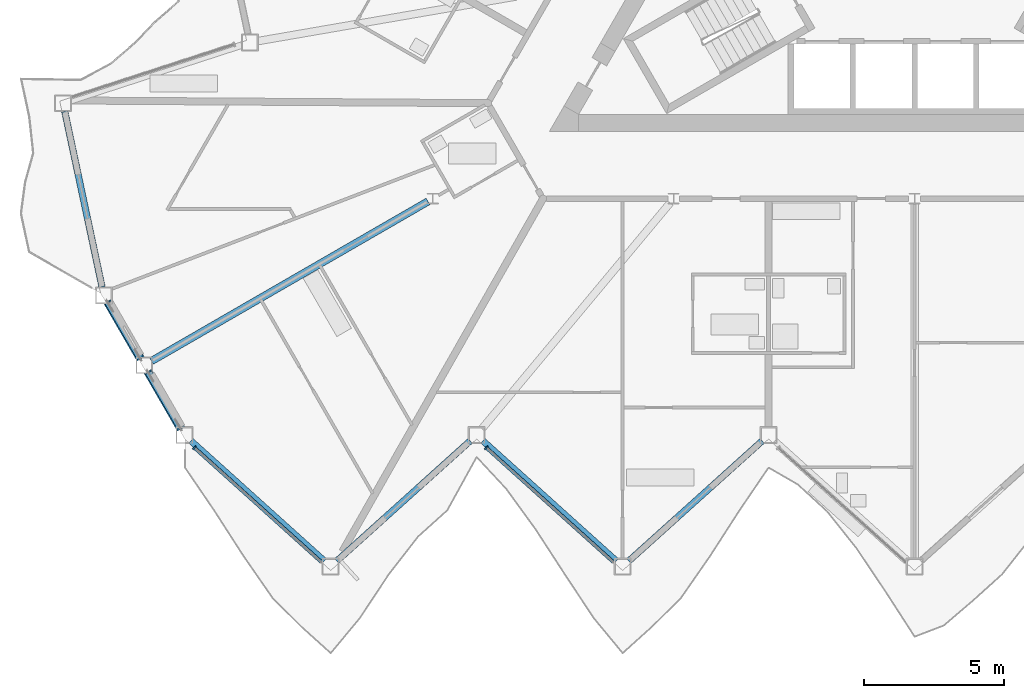
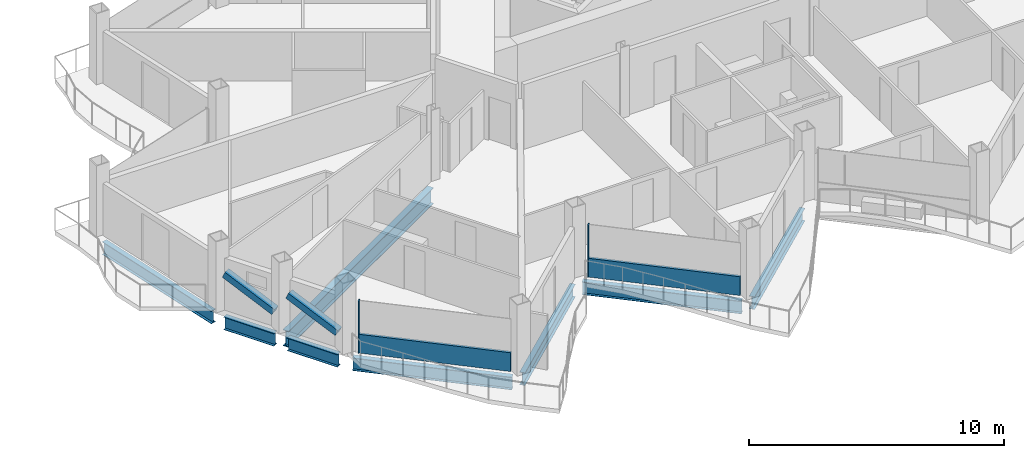
# One storey, part 4 of 26: 8 beams, 6 members, 2 elements without a shape of their own.
"""IFC4 building model written with IfcOpenShell, lengths in metres."""

from ifc_helpers import new_model, si_unit, direction, frame, origin, origin_2d, place, context, subcontext, project, spatial, rectangle, hollow_rectangle, i_section, extrude, material, layer, layer_set, material_profile, profile_set, type_object, element, aggregate, save


model = new_model("IFC4")

# Units and contexts
model_context = context("Model", 3, precision=1e-05, world=origin(), true_north=direction((0.0, 1.0)))
body_context = subcontext(model_context, "Body", "Model", "MODEL_VIEW")
ifc_project = project(units=[si_unit("LENGTHUNIT", "METRE"), si_unit("AREAUNIT", "SQUARE_METRE"), si_unit("VOLUMEUNIT", "CUBIC_METRE"), si_unit("PLANEANGLEUNIT", "RADIAN"), si_unit("MASSUNIT", "GRAM", prefix="KILO")], contexts=[model_context])

# Site, building, storey
site_placement = place(None, origin())
site = spatial("IfcSite", under=ifc_project, at=site_placement, CompositionType="ELEMENT")
building_placement = place(site_placement, origin())
building = spatial("IfcBuilding", under=site, at=building_placement, Name="Cormorant Prow Tower", CompositionType="ELEMENT")
storey_placement = place(building_placement, frame((0.0, 0.0, 342.60009765625)))
storey = spatial("IfcBuildingStorey", under=building, at=storey_placement, Name="L77", CompositionType="ELEMENT", Elevation=342.60009765625)

# Members
ifc_material_1 = material(Name="Structural steel ASTM A500 Gr C", Category="steel")
ifc_material_profile_1 = material_profile(ifc_material_1, hollow_rectangle(XDim=0.3046875, YDim=0.3046875, WallThickness=0.01171875, at=origin_2d()), Name="HSS12x12x1/2")
ifc_profile_set_1 = profile_set([ifc_material_profile_1], Name="Structural steel ASTM A500 Gr C")
member_type_1 = type_object("IfcMemberType", Name="Chamfer brace HSS12x12x1/2", PredefinedType="BRACE", material=ifc_profile_set_1)
for number, where, z_axis, x_axis, name in (
    (1, (-27.589599609375, -15.5654296875, 0.740966796875), (-0.456247183882, 0.790292391402, 0.408994429415), (-0.866038851724, -0.499976706761, 0.0), "Chamfer brace BR3 at WSW00 L77"),
    (2, (-26.15283203125, -18.05419921875, 0.740966796875), (-0.456247183882, 0.790292391402, 0.408994429415), (-0.866038851724, -0.499976706761, 0.0), "Chamfer brace BR3 at WSW01 L77"),
):
    element("IfcMember", number, at=place(storey_placement, frame(where, z_axis=z_axis, x_axis=x_axis)), inside=storey, type_object=member_type_1, Name=name, PredefinedType="BRACE", context=body_context, shape_type="SweptSolid", body=[
        extrude(hollow_rectangle(XDim=0.3046875, YDim=0.3046875, WallThickness=0.01171875, at=origin_2d()), origin(), (0.0, 0.0, 1.0), 2.459228515625),
    ])

# Beam
ifc_material_2 = material(Name="Structural steel ASTM A992 Gr 50", Category="steel")
ifc_material_profile_2 = material_profile(ifc_material_2, i_section(OverallWidth=0.267822265625, OverallDepth=0.77001953125, WebThickness=0.015625, FlangeThickness=0.025390625, at=origin_2d()), Name="W30x132")
ifc_profile_set_2 = profile_set([ifc_material_profile_2], Name="Structural steel ASTM A992 Gr 50")
beam_type_1 = type_object("IfcBeamType", Name="Radial floor beam W30x132", PredefinedType="BEAM", material=ifc_profile_set_2)
beam_1_placement = place(storey_placement, frame((-17.328125, -10.00439453125, -0.68505859375), z_axis=(-0.866024637028, -0.500001328059, 0.0), x_axis=(0.500001328059, -0.866024637028, 0.0)))
element("IfcBeam", 3, at=beam_1_placement, inside=storey, type_object=beam_type_1, Name="Radial floor beam FB3 5 L77", PredefinedType="BEAM", context=body_context, shape_type="SweptSolid", body=[
    extrude(i_section(OverallWidth=0.267822265625, OverallDepth=0.77001953125, WebThickness=0.015625, FlangeThickness=0.025390625, at=origin_2d()), origin(), (0.0, 0.0, 1.0), 11.3671875),
])

# Curtain wall, member
ifc_material_3 = material(Name="Aluminium 6063-T6", Category="aluminium")
ifc_layer = layer(ifc_material_3, 0.159912109375)
ifc_layer_set = layer_set([ifc_layer], Name="Aluminium 6063-T6")
curtain_wall_type = type_object("IfcCurtainWallType", Name="Residential unitised curtain wall 160", PredefinedType="NOTDEFINED", material=ifc_layer_set)
curtain_wall_1_placement = place(storey_placement, origin())
curtain_wall_1 = element("IfcCurtainWall", 4, at=curtain_wall_1_placement, inside=storey, type_object=curtain_wall_type, Name="Residential curtain wall S00", PredefinedType="NOTDEFINED")
ifc_material_4 = material(Name="Aluminium 6063-T6", Category="aluminium")
ifc_material_profile_3 = material_profile(ifc_material_4, rectangle(XDim=0.159912109375, YDim=0.050048828125, at=origin_2d()), Name="Residential mullion 50x160")
ifc_profile_set_3 = profile_set([ifc_material_profile_3], Name="Aluminium 6063-T6")
member_type_2 = type_object("IfcMemberType", Name="Residential mullion 50x160", PredefinedType="MULLION", material=ifc_profile_set_3)
member_1_placement = place(storey_placement, frame((-25.646484375, -18.772705078125, 0.0), z_axis=(0.0, 0.0, 1.0), x_axis=(0.669130659174, 0.743144777922, 0.0)))
member_1 = element("IfcMember", 5, at=member_1_placement, type_object=member_type_2, Name="Residential mullion S00", PredefinedType="MULLION", context=body_context, shape_type="SweptSolid", body=[
    extrude(rectangle(XDim=0.159912109375, YDim=0.050048828125, at=origin_2d()), origin(), (0.0, 0.0, 1.0), 2.48779296875),
])

curtain_wall_2_placement = place(storey_placement, origin())
curtain_wall_2 = element("IfcCurtainWall", 6, at=curtain_wall_2_placement, inside=storey, type_object=curtain_wall_type, Name="Residential curtain wall S02", PredefinedType="NOTDEFINED")
member_2_placement = place(storey_placement, frame((-15.25146484375, -18.772705078125, 0.0), z_axis=(0.0, 0.0, 1.0), x_axis=(0.669130588071, 0.743144841944, 0.0)))
member_2 = element("IfcMember", 7, at=member_2_placement, type_object=member_type_2, Name="Residential mullion S02", PredefinedType="MULLION", context=body_context, shape_type="SweptSolid", body=[
    extrude(rectangle(XDim=0.159912109375, YDim=0.050048828125, at=origin_2d()), origin(), (0.0, 0.0, 1.0), 2.48779296875),
])

# Member
ifc_material_5 = material(Name="Terracotta", Category="masonry")
ifc_material_profile_4 = material_profile(ifc_material_5, rectangle(XDim=0.1201171875, YDim=0.89990234375, at=origin_2d()), Name="Residential terracotta spandrel rail 120x900")
ifc_profile_set_4 = profile_set([ifc_material_profile_4], Name="Terracotta")
member_type_3 = type_object("IfcMemberType", Name="Residential terracotta spandrel rail 120x900", PredefinedType="USERDEFINED", material=ifc_profile_set_4)
member_3_placement = place(storey_placement, frame((-25.6279296875, -18.789306640625, 0.449951171875), z_axis=(0.743144281997, -0.669131209954, 0.0), x_axis=(0.669131209954, 0.743144281997, 0.0)))
member_3 = element("IfcMember", 8, at=member_3_placement, type_object=member_type_3, Name="Residential spandrel rail S00", ObjectType="TRANSOM", PredefinedType="USERDEFINED", context=body_context, shape_type="SweptSolid", body=[
    extrude(rectangle(XDim=0.1201171875, YDim=0.89990234375, at=origin_2d()), origin(), (0.0, 0.0, 1.0), 6.075927734375),
])

aggregate(curtain_wall_1, [member_1, member_3])

member_4_placement = place(storey_placement, frame((-15.23291015625, -18.789306640625, 0.449951171875), z_axis=(0.743144281997, -0.669131209954, 0.0), x_axis=(0.669131209954, 0.743144281997, 0.0)))
member_4 = element("IfcMember", 9, at=member_4_placement, type_object=member_type_3, Name="Residential spandrel rail S02", ObjectType="TRANSOM", PredefinedType="USERDEFINED", context=body_context, shape_type="SweptSolid", body=[
    extrude(rectangle(XDim=0.1201171875, YDim=0.89990234375, at=origin_2d()), origin(), (0.0, 0.0, 1.0), 6.075927734375),
])

aggregate(curtain_wall_2, [member_2, member_4])

# Beams
ifc_material_6 = material(Name="Structural steel ASTM A992 Gr 50", Category="steel")
ifc_material_profile_5 = material_profile(ifc_material_6, i_section(OverallWidth=0.22900390625, OverallDepth=0.612060546875, WebThickness=0.011962890625, FlangeThickness=0.01953125, at=origin_2d()), Name="W24x84")
ifc_profile_set_5 = profile_set([ifc_material_profile_5], Name="Structural steel ASTM A992 Gr 50")
beam_type_2 = type_object("IfcBeamType", Name="Spandrel beam W24x84", PredefinedType="SPANDREL", material=ifc_profile_set_5)
beam_2_placement = place(storey_placement, frame((-25.7724609375, -18.527587890625, -0.606201171875), z_axis=(0.743144186555, -0.669131315954, 0.0), x_axis=(0.669131315954, 0.743144186555, 0.0)))
element("IfcBeam", 10, at=beam_2_placement, inside=storey, type_object=beam_type_2, Name="Spandrel beam SB3 S00-S01 L77", PredefinedType="SPANDREL", context=body_context, shape_type="SweptSolid", body=[
    extrude(i_section(OverallWidth=0.22900390625, OverallDepth=0.612060546875, WebThickness=0.011962890625, FlangeThickness=0.01953125, at=origin_2d()), origin(), (0.0, 0.0, 1.0), 6.39599609375),
])
beam_3_placement = place(storey_placement, frame((-20.573486328125, -22.807373046875, -0.606201171875), z_axis=(0.743161276225, 0.669112335502, 0.0), x_axis=(-0.669112335502, 0.743161276225, 0.0)))
element("IfcBeam", 11, at=beam_3_placement, inside=storey, type_object=beam_type_2, Name="Spandrel beam SB3 S01-S02 L77", PredefinedType="SPANDREL", context=body_context, shape_type="SweptSolid", body=[
    extrude(i_section(OverallWidth=0.22900390625, OverallDepth=0.612060546875, WebThickness=0.011962890625, FlangeThickness=0.01953125, at=origin_2d()), origin(), (0.0, 0.0, 1.0), 6.396240234375),
])
for number, where, z_axis, x_axis, name in (
    (12, (-15.374267578125, -18.527587890625, -0.606201171875), (0.743144186555, -0.669131315954, 0.0), (0.669131315954, 0.743144186555, 0.0), "Spandrel beam SB3 S02-S03 L77"),
    (13, (-10.17529296875, -22.807373046875, -0.606201171875), (0.743144186555, 0.669131315954, 0.0), (-0.669131315954, 0.743144186555, 0.0), "Spandrel beam SB3 S03-S04 L77"),
):
    element("IfcBeam", number, at=place(storey_placement, frame(where, z_axis=z_axis, x_axis=x_axis)), inside=storey, type_object=beam_type_2, Name=name, PredefinedType="SPANDREL", context=body_context, shape_type="SweptSolid", body=[
        extrude(i_section(OverallWidth=0.22900390625, OverallDepth=0.612060546875, WebThickness=0.011962890625, FlangeThickness=0.01953125, at=origin_2d()), origin(), (0.0, 0.0, 1.0), 6.39599609375),
    ])
beam_4_placement = place(storey_placement, frame((-30.261474609375, -6.799560546875, -0.606201171875), z_axis=(0.20791262393, -0.978147402394, 0.0), x_axis=(0.978147402394, 0.20791262393, 0.0)))
element("IfcBeam", 14, at=beam_4_placement, inside=storey, type_object=beam_type_2, Name="Spandrel beam SB3 WNW09-WSW00 L77", PredefinedType="SPANDREL", context=body_context, shape_type="SweptSolid", body=[
    extrude(i_section(OverallWidth=0.22900390625, OverallDepth=0.612060546875, WebThickness=0.011962890625, FlangeThickness=0.01953125, at=origin_2d()), origin(), (0.0, 0.0, 1.0), 6.396240234375),
])
beam_5_placement = place(storey_placement, frame((-28.71923828125, -13.609130859375, -0.606201171875), z_axis=(0.500053962254, -0.865994246421, 0.0), x_axis=(0.865994246421, 0.500053962254, 0.0)))
element("IfcBeam", 15, at=beam_5_placement, inside=storey, type_object=beam_type_2, Name="Spandrel beam SB3 WSW00-WSW01 L77", PredefinedType="SPANDREL", context=body_context, shape_type="SweptSolid", body=[
    extrude(i_section(OverallWidth=0.22900390625, OverallDepth=0.612060546875, WebThickness=0.011962890625, FlangeThickness=0.01953125, at=origin_2d()), origin(), (0.0, 0.0, 1.0), 2.273681640625),
])
beam_6_placement = place(storey_placement, frame((-27.2822265625, -16.097900390625, -0.606201171875), z_axis=(0.49997342893, -0.866040744055, 0.0), x_axis=(0.866040744055, 0.49997342893, 0.0)))
element("IfcBeam", 16, at=beam_6_placement, inside=storey, type_object=beam_type_2, Name="Spandrel beam SB3 WSW01-S00 L77", PredefinedType="SPANDREL", context=body_context, shape_type="SweptSolid", body=[
    extrude(i_section(OverallWidth=0.22900390625, OverallDepth=0.612060546875, WebThickness=0.011962890625, FlangeThickness=0.01953125, at=origin_2d()), origin(), (0.0, 0.0, 1.0), 2.2734375),
])

save(model, "model.ifc")
